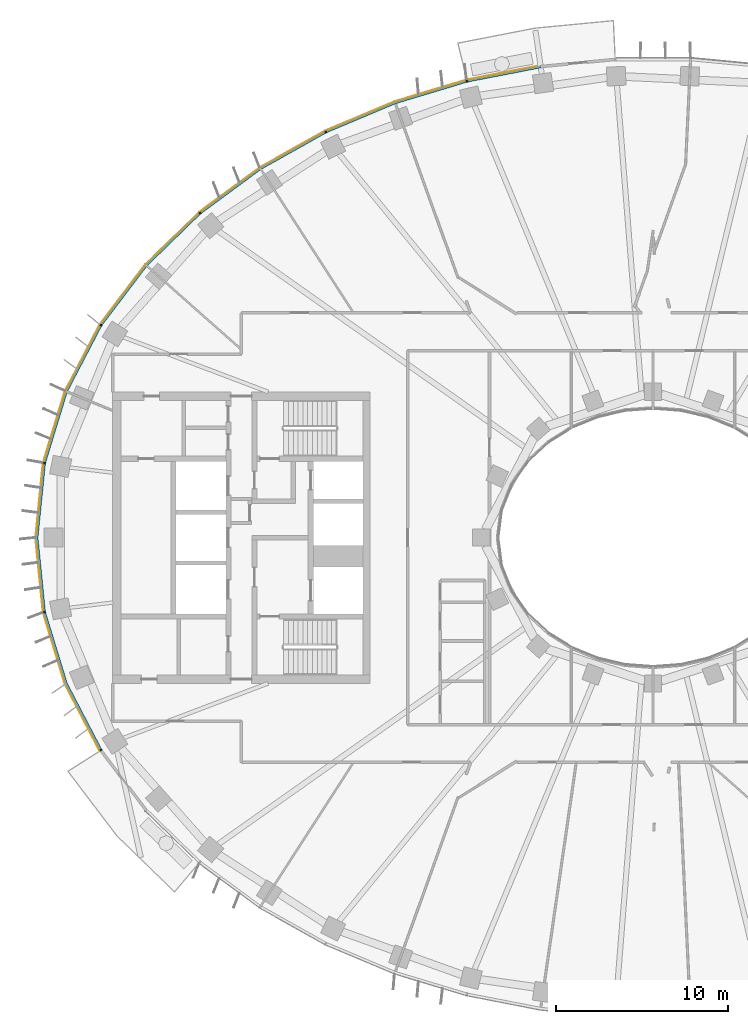
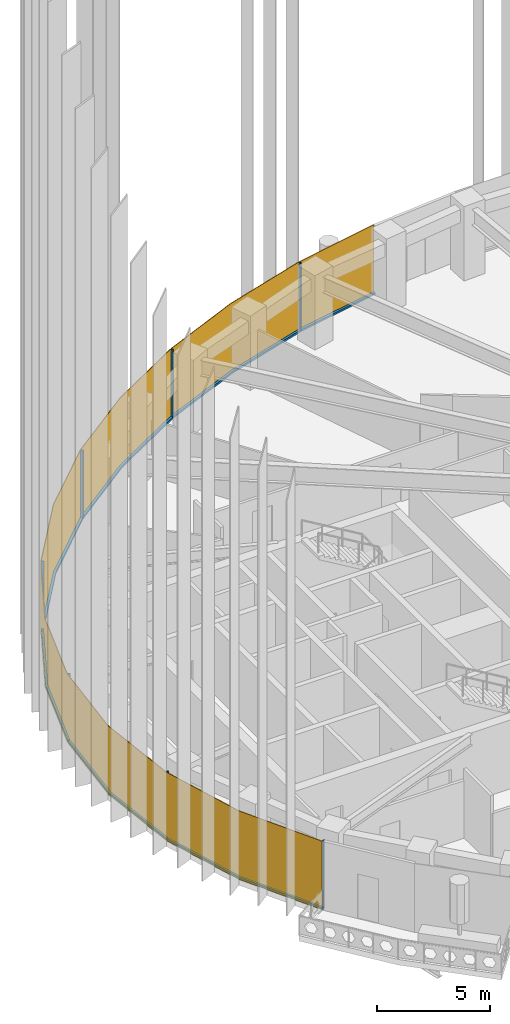
# One storey, part 11 of 19: 14 members, 1 curtain wall.
"""IFC4 building model written with IfcOpenShell, lengths in metres."""

from ifc_helpers import new_model, si_unit, direction, frame, origin, origin_2d, place, context, subcontext, project, spatial, polyline, rectangle, outline, extrude, material, layer, layer_set, material_profile, profile_set, type_object, element, aggregate, save


model = new_model("IFC4")

# Units and contexts
model_context = context("Model", 3, precision=1e-05, world=origin(), true_north=direction((0.0, 1.0)))
body_context = subcontext(model_context, "Body", "Model", "MODEL_VIEW")
ifc_project = project(units=[si_unit("LENGTHUNIT", "METRE"), si_unit("AREAUNIT", "SQUARE_METRE"), si_unit("VOLUMEUNIT", "CUBIC_METRE"), si_unit("PLANEANGLEUNIT", "RADIAN"), si_unit("MASSUNIT", "GRAM", prefix="KILO")], contexts=[model_context])

# Member
ifc_material_1 = material(Name="Aluminium 6063-T6 black anodised", Category="aluminium")
ifc_material_profile = material_profile(ifc_material_1, rectangle(XDim=0.1201171875, YDim=0.06005859375, at=origin_2d()), Name="120x60")
ifc_profile_set = profile_set([ifc_material_profile], Name="Aluminium 6063-T6 black anodised")
member_type_1 = type_object("IfcMemberType", Name="ENV-MULLION-A-120", PredefinedType="MULLION", material=ifc_profile_set)
site_placement = place(None, origin())
building_placement = place(site_placement, origin())
storey_placement = place(building_placement, frame((0.0, 0.0, 233.5)))
member_1_placement = place(storey_placement, frame((-10.84326171875, 26.60498046875, 0.0), z_axis=(0.0, 0.0, 1.0), x_axis=(0.239799081534, -0.970822538106, 0.0)))
member_1 = element("IfcMember", 1, at=member_1_placement, type_object=member_type_1, Name="Mullion A radial 15", PredefinedType="MULLION", context=body_context, shape_type="SweptSolid", body=[
    extrude(rectangle(XDim=0.1201171875, YDim=0.06005859375, at=origin_2d()), origin(), (0.0, 0.0, 1.0), 3.699951171875),
])

member_2_placement = place(storey_placement, frame((-19.06787109375, 23.6474609375, 0.0), z_axis=(0.0, 0.0, 1.0), x_axis=(0.439237769837, -0.898370848563, 0.0)))
member_2 = element("IfcMember", 2, at=member_2_placement, type_object=member_type_1, Name="Mullion A radial 17", PredefinedType="MULLION", context=body_context, shape_type="SweptSolid", body=[
    extrude(rectangle(XDim=0.1201171875, YDim=0.06005859375, at=origin_2d()), origin(), (0.0, 0.0, 1.0), 3.699951171875),
])

member_3_placement = place(storey_placement, frame((-26.403564453125, 18.9130859375, 0.0), z_axis=(0.0, 0.0, 1.0), x_axis=(0.646451313783, -0.762955240435, 0.0)))
member_3 = element("IfcMember", 3, at=member_3_placement, type_object=member_type_1, Name="Mullion A radial 19", PredefinedType="MULLION", context=body_context, shape_type="SweptSolid", body=[
    extrude(rectangle(XDim=0.1201171875, YDim=0.06005859375, at=origin_2d()), origin(), (0.0, 0.0, 1.0), 3.699951171875),
])

member_4_placement = place(storey_placement, frame((-32.177490234375, 12.385498046875, 0.0), z_axis=(0.0, 0.0, 1.0), x_axis=(0.844829880882, -0.53503501976, 0.0)))
member_4 = element("IfcMember", 4, at=member_4_placement, type_object=member_type_1, Name="Mullion A radial 21", PredefinedType="MULLION", context=body_context, shape_type="SweptSolid", body=[
    extrude(rectangle(XDim=0.1201171875, YDim=0.06005859375, at=origin_2d()), origin(), (0.0, 0.0, 1.0), 3.699951171875),
])

member_5_placement = place(storey_placement, frame((-35.470947265625, 4.340576171875, 0.0), z_axis=(0.0, 0.0, 1.0), x_axis=(0.980379083141, -0.19712141776, 0.0)))
member_5 = element("IfcMember", 5, at=member_5_placement, type_object=member_type_1, Name="Mullion A radial 23", PredefinedType="MULLION", context=body_context, shape_type="SweptSolid", body=[
    extrude(rectangle(XDim=0.1201171875, YDim=0.06005859375, at=origin_2d()), origin(), (0.0, 0.0, 1.0), 3.699951171875),
])

member_6_placement = place(storey_placement, frame((-35.470947265625, -4.340576171875, 0.0), z_axis=(0.0, 0.0, 1.0), x_axis=(0.980379083141, 0.19712141776, 0.0)))
member_6 = element("IfcMember", 6, at=member_6_placement, type_object=member_type_1, Name="Mullion A radial 25", PredefinedType="MULLION", context=body_context, shape_type="SweptSolid", body=[
    extrude(rectangle(XDim=0.1201171875, YDim=0.06005859375, at=origin_2d()), origin(), (0.0, 0.0, 1.0), 3.699951171875),
])

member_7_placement = place(storey_placement, frame((-32.177490234375, -12.385498046875, 0.0), z_axis=(0.0, 0.0, 1.0), x_axis=(0.844829880882, 0.53503501976, 0.0)))
member_7 = element("IfcMember", 7, at=member_7_placement, type_object=member_type_1, Name="Mullion A radial 27", PredefinedType="MULLION", context=body_context, shape_type="SweptSolid", body=[
    extrude(rectangle(XDim=0.1201171875, YDim=0.06005859375, at=origin_2d()), origin(), (0.0, 0.0, 1.0), 3.699951171875),
])

ifc_material_2 = material(Name="Aluminium 6063-T6 black anodised", Category="aluminium")
member_type_2 = type_object("IfcMemberType", Name="ENV-TRANSOM-A", PredefinedType="USERDEFINED", material=ifc_material_2)
member_8_placement = place(storey_placement, origin())
member_8 = element("IfcMember", 8, at=member_8_placement, type_object=member_type_2, Name="Transom A radial 14-15", ObjectType="TRANSOM", PredefinedType="USERDEFINED", context=body_context, shape_type="SweptSolid", body=[
    extrude(outline(polyline([(-6.57470703125, 27.49560546875), (-10.830078125, 26.66845703125), (-10.80126953125, 26.552001953125), (-6.5576171875, 27.376708984375), (-6.57470703125, 27.49560546875)])), origin(), (0.0, 0.0, 1.0), 0.10009765625),
])

member_9_placement = place(storey_placement, origin())
member_9 = element("IfcMember", 9, at=member_9_placement, type_object=member_type_2, Name="Transom A radial 15-17", ObjectType="TRANSOM", PredefinedType="USERDEFINED", context=body_context, shape_type="SweptSolid", body=[
    extrude(outline(polyline([(-10.884521484375, 26.655029296875), (-15.054443359375, 25.400146484375), (-19.068359375, 23.71240234375), (-19.015380859375, 23.604248046875), (-15.013916015625, 25.287109375), (-10.855712890625, 26.53857421875), (-10.884521484375, 26.655029296875)])), origin(), (0.0, 0.0, 1.0), 0.10009765625),
])

member_10_placement = place(storey_placement, origin())
member_10 = element("IfcMember", 10, at=member_10_placement, type_object=member_type_2, Name="Transom A radial 17-19", ObjectType="TRANSOM", PredefinedType="USERDEFINED", context=body_context, shape_type="SweptSolid", body=[
    extrude(outline(polyline([(-19.11865234375, 23.687744140625), (-22.9150390625, 21.556884765625), (-26.419921875, 18.975341796875), (-26.342041015625, 18.883544921875), (-22.85009765625, 21.455810546875), (-19.06591796875, 23.57958984375), (-19.11865234375, 23.687744140625)])), origin(), (0.0, 0.0, 1.0), 0.10009765625),
])

member_11_placement = place(storey_placement, origin())
member_11 = element("IfcMember", 11, at=member_11_placement, type_object=member_type_2, Name="Transom A radial 19-21", ObjectType="TRANSOM", PredefinedType="USERDEFINED", context=body_context, shape_type="SweptSolid", body=[
    extrude(outline(polyline([(-26.46240234375, 18.939208984375), (-29.58349609375, 15.906982421875), (-32.211181640625, 12.43994140625), (-32.109375, 12.37548828125), (-29.493408203125, 15.8271484375), (-26.384765625, 18.847412109375), (-26.46240234375, 18.939208984375)])), origin(), (0.0, 0.0, 1.0), 0.10009765625),
])

member_12_placement = place(storey_placement, origin())
member_12 = element("IfcMember", 12, at=member_12_placement, type_object=member_type_2, Name="Transom A radial 21-23", ObjectType="TRANSOM", PredefinedType="USERDEFINED", context=body_context, shape_type="SweptSolid", body=[
    extrude(outline(polyline([(-32.240966796875, 12.392578125), (-34.251220703125, 8.53662109375), (-35.521484375, 4.379150390625), (-35.4033203125, 4.355224609375), (-34.139892578125, 8.490966796875), (-32.139404296875, 12.328369140625), (-32.240966796875, 12.392578125)])), origin(), (0.0, 0.0, 1.0), 0.10009765625),
])

member_13_placement = place(storey_placement, origin())
member_13 = element("IfcMember", 13, at=member_13_placement, type_object=member_type_2, Name="Transom A radial 23-25", ObjectType="TRANSOM", PredefinedType="USERDEFINED", context=body_context, shape_type="SweptSolid", body=[
    extrude(outline(polyline([(-35.532470703125, 4.324462890625), (-35.9677734375, 0.0), (-35.532470703125, -4.324462890625), (-35.414306640625, -4.30078125), (-35.84716796875, 0.0), (-35.414306640625, 4.30078125), (-35.532470703125, 4.324462890625)])), origin(), (0.0, 0.0, 1.0), 0.10009765625),
])

member_14_placement = place(storey_placement, origin())
member_14 = element("IfcMember", 14, at=member_14_placement, type_object=member_type_2, Name="Transom A radial 25-27", ObjectType="TRANSOM", PredefinedType="USERDEFINED", context=body_context, shape_type="SweptSolid", body=[
    extrude(outline(polyline([(-35.521484375, -4.379150390625), (-34.251220703125, -8.53662109375), (-32.240966796875, -12.392578125), (-32.139404296875, -12.328369140625), (-34.139892578125, -8.490966796875), (-35.4033203125, -4.355224609375), (-35.521484375, -4.379150390625)])), origin(), (0.0, 0.0, 1.0), 0.10009765625),
])

# Site, building, storey
site = spatial("IfcSite", under=ifc_project, at=site_placement, CompositionType="ELEMENT")
building = spatial("IfcBuilding", under=site, at=building_placement, Name="Noorbagh Ring Tower", CompositionType="ELEMENT")
storey = spatial("IfcBuildingStorey", under=building, at=storey_placement, Name="L48", CompositionType="ELEMENT", Elevation=233.5)

# Curtain wall
ifc_material_3 = material(Name="Glass dark tinted laminated", Category="glass")
ifc_layer = layer(ifc_material_3, 0.031982421875)
ifc_layer_set = layer_set([ifc_layer], Name="Glass dark tinted laminated")
curtain_wall_type = type_object("IfcCurtainWallType", Name="ENV-CW-A", PredefinedType="NOTDEFINED", material=ifc_layer_set)
curtain_wall_placement = place(storey_placement, origin())
curtain_wall = element("IfcCurtainWall", 15, at=curtain_wall_placement, inside=storey, type_object=curtain_wall_type, Name="Curtain wall A R14", PredefinedType="NOTDEFINED", context=body_context, shape_type="SweptSolid", body=[
    extrude(outline(polyline([(-6.579345703125, 27.52734375), (-10.865234375, 26.6943359375), (-15.065185546875, 25.430419921875), (-19.108154296875, 23.730224609375), (-22.9326171875, 21.583740234375), (-26.463134765625, 18.9833984375), (-29.607666015625, 15.927978515625), (-32.255126953125, 12.434814453125), (-34.281005859375, 8.548828125), (-35.561279296875, 4.358642578125), (-36.0, 0.0), (-35.561279296875, -4.358642578125), (-34.281005859375, -8.548828125), (-32.264404296875, -12.4169921875), (-32.2373046875, -12.39990234375), (-34.251220703125, -8.53662109375), (-35.529541015625, -4.352294921875), (-35.9677734375, 0.0), (-35.529541015625, 4.352294921875), (-34.251220703125, 8.53662109375), (-32.22802734375, 12.41748046875), (-29.58349609375, 15.906982421875), (-26.4423828125, 18.958740234375), (-22.9150390625, 21.556884765625), (-19.093994140625, 23.701416015625), (-15.054443359375, 25.400146484375), (-10.857666015625, 26.6630859375), (-6.57470703125, 27.49560546875), (-6.579345703125, 27.52734375)])), origin(), (0.0, 0.0, 1.0), 3.699951171875),
])

aggregate(curtain_wall, [member_1, member_2, member_3, member_4, member_5, member_6, member_7, member_8, member_9, member_10, member_11, member_12, member_13, member_14])

save(model, "model.ifc")
